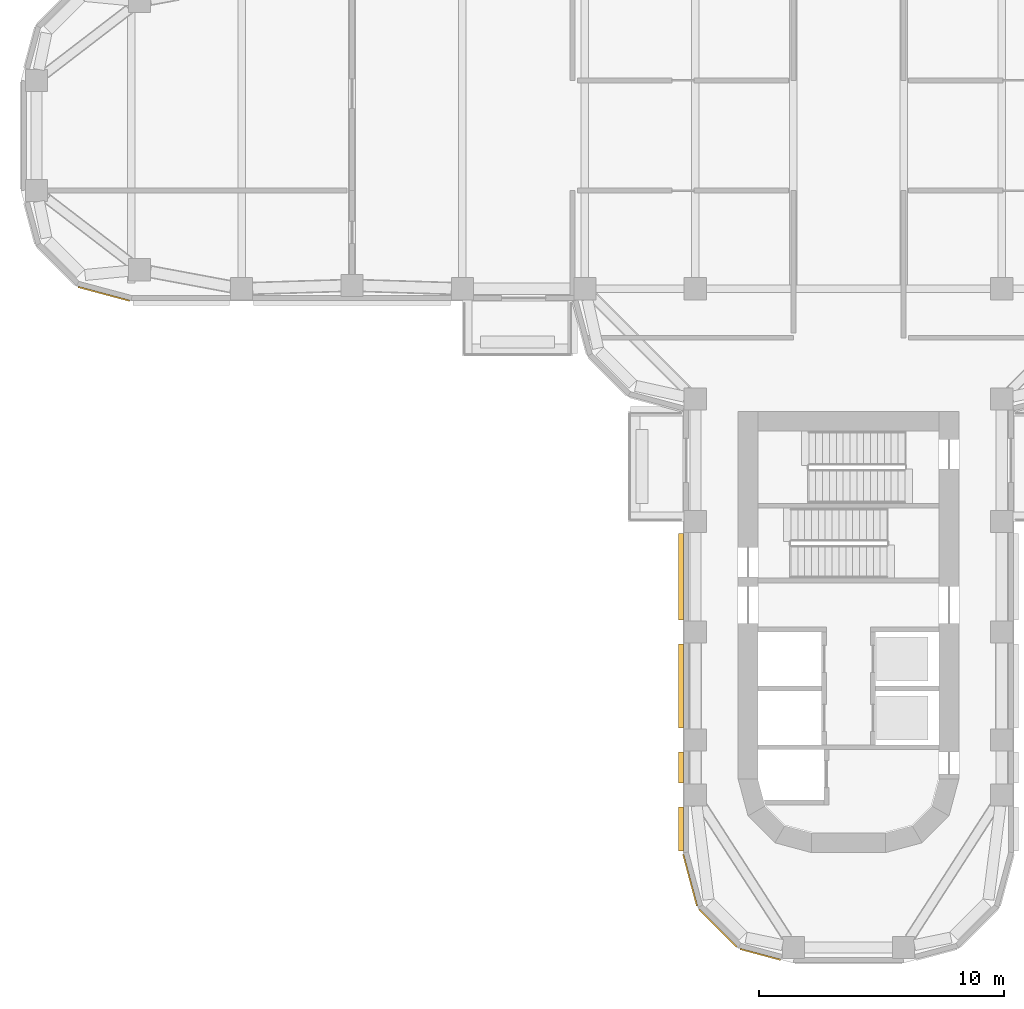
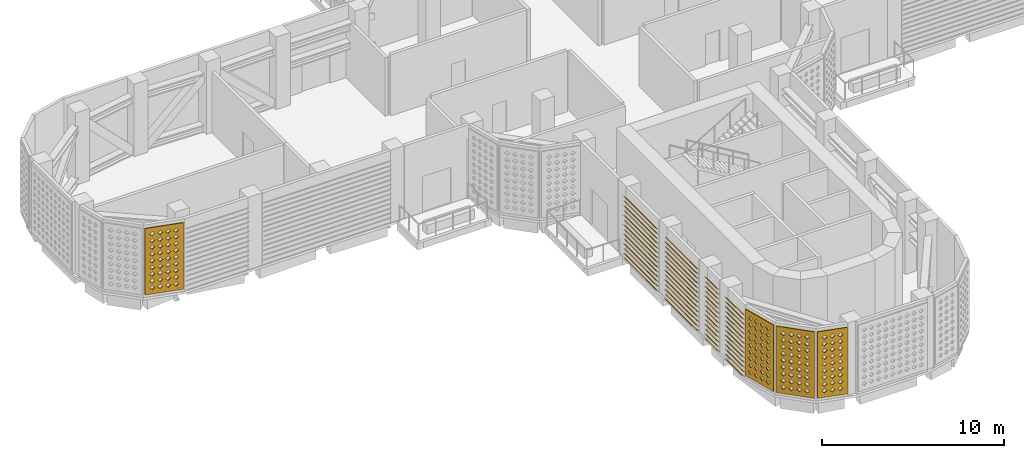
# One storey, part 9 of 20: 4 coverings, 4 shading devices.
"""IFC4 building model written with IfcOpenShell, lengths in metres."""

from ifc_helpers import new_model, si_unit, direction, frame, origin, place, context, subcontext, project, spatial, polyline, outline, extrude, source, transform, mapped, material, layer, layer_set, type_object, element, save


model = new_model("IFC4")

# Units and contexts
model_context = context("Model", 3, precision=1e-05, world=origin(), true_north=direction((0.0, 1.0)))
body_context = subcontext(model_context, "Body", "Model", "MODEL_VIEW")
ifc_project = project(units=[si_unit("LENGTHUNIT", "METRE"), si_unit("AREAUNIT", "SQUARE_METRE"), si_unit("VOLUMEUNIT", "CUBIC_METRE"), si_unit("PLANEANGLEUNIT", "RADIAN"), si_unit("MASSUNIT", "GRAM", prefix="KILO")], contexts=[model_context])

# Site, building, storey
site_placement = place(None, origin())
site = spatial("IfcSite", under=ifc_project, at=site_placement, CompositionType="ELEMENT")
building_placement = place(site_placement, origin())
building = spatial("IfcBuilding", under=site, at=building_placement, Name="Zarbagh Exchange Tower", CompositionType="ELEMENT")
storey_placement = place(building_placement, frame((0.0, 0.0, 136.0)))
storey = spatial("IfcBuildingStorey", under=building, at=storey_placement, Name="L32", CompositionType="ELEMENT", Elevation=136.0)

# Coverings
ifc_material_1 = material(Name="Glass-fibre reinforced concrete GFRC C50/60", Category="concrete")
ifc_layer = layer(ifc_material_1, 0.06005859375)
ifc_layer_set = layer_set([ifc_layer], Name="SCREEN jali panel, GFRC")
covering_type = type_object("IfcCoveringType", Name="SCREEN jali panel, GFRC", PredefinedType="CLADDING", material=ifc_layer_set)
shared_shape_1 = source(origin(), body_context, "Body", "SweptSolid", [
    extrude(outline(polyline([(0.0, 0.0), (2.1650390625, 0.0), (2.1650390625, 4.449951171875), (0.0, 4.449951171875), (0.0, 0.0)]), holes=[polyline([(0.257568359375, 0.425048828125), (0.407470703125, 0.27490234375), (0.5576171875, 0.425048828125), (0.407470703125, 0.574951171875), (0.257568359375, 0.425048828125)]), polyline([(0.257568359375, 0.875), (0.407470703125, 0.72509765625), (0.5576171875, 0.875), (0.407470703125, 1.02490234375), (0.257568359375, 0.875)]), polyline([(0.257568359375, 1.324951171875), (0.407470703125, 1.175048828125), (0.5576171875, 1.324951171875), (0.407470703125, 1.47509765625), (0.257568359375, 1.324951171875)]), polyline([(0.257568359375, 1.77490234375), (0.407470703125, 1.625), (0.5576171875, 1.77490234375), (0.407470703125, 1.925048828125), (0.257568359375, 1.77490234375)]), polyline([(0.257568359375, 2.22509765625), (0.407470703125, 2.074951171875), (0.5576171875, 2.22509765625), (0.407470703125, 2.375), (0.257568359375, 2.22509765625)]), polyline([(0.257568359375, 2.675048828125), (0.407470703125, 2.52490234375), (0.5576171875, 2.675048828125), (0.407470703125, 2.824951171875), (0.257568359375, 2.675048828125)]), polyline([(0.257568359375, 3.125), (0.407470703125, 2.97509765625), (0.5576171875, 3.125), (0.407470703125, 3.27490234375), (0.257568359375, 3.125)]), polyline([(0.257568359375, 3.574951171875), (0.407470703125, 3.425048828125), (0.5576171875, 3.574951171875), (0.407470703125, 3.72509765625), (0.257568359375, 3.574951171875)]), polyline([(0.257568359375, 4.02490234375), (0.407470703125, 3.875), (0.5576171875, 4.02490234375), (0.407470703125, 4.175048828125), (0.257568359375, 4.02490234375)]), polyline([(0.70751953125, 0.425048828125), (0.857421875, 0.27490234375), (1.007568359375, 0.425048828125), (0.857421875, 0.574951171875), (0.70751953125, 0.425048828125)]), polyline([(0.70751953125, 0.875), (0.857421875, 0.72509765625), (1.007568359375, 0.875), (0.857421875, 1.02490234375), (0.70751953125, 0.875)]), polyline([(0.70751953125, 1.324951171875), (0.857421875, 1.175048828125), (1.007568359375, 1.324951171875), (0.857421875, 1.47509765625), (0.70751953125, 1.324951171875)]), polyline([(0.70751953125, 1.77490234375), (0.857421875, 1.625), (1.007568359375, 1.77490234375), (0.857421875, 1.925048828125), (0.70751953125, 1.77490234375)]), polyline([(0.70751953125, 2.22509765625), (0.857421875, 2.074951171875), (1.007568359375, 2.22509765625), (0.857421875, 2.375), (0.70751953125, 2.22509765625)]), polyline([(0.70751953125, 2.675048828125), (0.857421875, 2.52490234375), (1.007568359375, 2.675048828125), (0.857421875, 2.824951171875), (0.70751953125, 2.675048828125)]), polyline([(0.70751953125, 3.125), (0.857421875, 2.97509765625), (1.007568359375, 3.125), (0.857421875, 3.27490234375), (0.70751953125, 3.125)]), polyline([(0.70751953125, 3.574951171875), (0.857421875, 3.425048828125), (1.007568359375, 3.574951171875), (0.857421875, 3.72509765625), (0.70751953125, 3.574951171875)]), polyline([(0.70751953125, 4.02490234375), (0.857421875, 3.875), (1.007568359375, 4.02490234375), (0.857421875, 4.175048828125), (0.70751953125, 4.02490234375)]), polyline([(1.157470703125, 0.425048828125), (1.3076171875, 0.27490234375), (1.45751953125, 0.425048828125), (1.3076171875, 0.574951171875), (1.157470703125, 0.425048828125)]), polyline([(1.157470703125, 0.875), (1.3076171875, 0.72509765625), (1.45751953125, 0.875), (1.3076171875, 1.02490234375), (1.157470703125, 0.875)]), polyline([(1.157470703125, 1.324951171875), (1.3076171875, 1.175048828125), (1.45751953125, 1.324951171875), (1.3076171875, 1.47509765625), (1.157470703125, 1.324951171875)]), polyline([(1.157470703125, 1.77490234375), (1.3076171875, 1.625), (1.45751953125, 1.77490234375), (1.3076171875, 1.925048828125), (1.157470703125, 1.77490234375)]), polyline([(1.157470703125, 2.22509765625), (1.3076171875, 2.074951171875), (1.45751953125, 2.22509765625), (1.3076171875, 2.375), (1.157470703125, 2.22509765625)]), polyline([(1.157470703125, 2.675048828125), (1.3076171875, 2.52490234375), (1.45751953125, 2.675048828125), (1.3076171875, 2.824951171875), (1.157470703125, 2.675048828125)]), polyline([(1.157470703125, 3.125), (1.3076171875, 2.97509765625), (1.45751953125, 3.125), (1.3076171875, 3.27490234375), (1.157470703125, 3.125)]), polyline([(1.157470703125, 3.574951171875), (1.3076171875, 3.425048828125), (1.45751953125, 3.574951171875), (1.3076171875, 3.72509765625), (1.157470703125, 3.574951171875)]), polyline([(1.157470703125, 4.02490234375), (1.3076171875, 3.875), (1.45751953125, 4.02490234375), (1.3076171875, 4.175048828125), (1.157470703125, 4.02490234375)]), polyline([(1.607421875, 0.425048828125), (1.757568359375, 0.27490234375), (1.907470703125, 0.425048828125), (1.757568359375, 0.574951171875), (1.607421875, 0.425048828125)]), polyline([(1.607421875, 0.875), (1.757568359375, 0.72509765625), (1.907470703125, 0.875), (1.757568359375, 1.02490234375), (1.607421875, 0.875)]), polyline([(1.607421875, 1.324951171875), (1.757568359375, 1.175048828125), (1.907470703125, 1.324951171875), (1.757568359375, 1.47509765625), (1.607421875, 1.324951171875)]), polyline([(1.607421875, 1.77490234375), (1.757568359375, 1.625), (1.907470703125, 1.77490234375), (1.757568359375, 1.925048828125), (1.607421875, 1.77490234375)]), polyline([(1.607421875, 2.22509765625), (1.757568359375, 2.074951171875), (1.907470703125, 2.22509765625), (1.757568359375, 2.375), (1.607421875, 2.22509765625)]), polyline([(1.607421875, 2.675048828125), (1.757568359375, 2.52490234375), (1.907470703125, 2.675048828125), (1.757568359375, 2.824951171875), (1.607421875, 2.675048828125)]), polyline([(1.607421875, 3.125), (1.757568359375, 2.97509765625), (1.907470703125, 3.125), (1.757568359375, 3.27490234375), (1.607421875, 3.125)]), polyline([(1.607421875, 3.574951171875), (1.757568359375, 3.425048828125), (1.907470703125, 3.574951171875), (1.757568359375, 3.72509765625), (1.607421875, 3.574951171875)]), polyline([(1.607421875, 4.02490234375), (1.757568359375, 3.875), (1.907470703125, 4.02490234375), (1.757568359375, 4.175048828125), (1.607421875, 4.02490234375)])]), origin(), (0.0, 0.0, 1.0), 0.06005859375),
])
placement = place(storey_placement, origin())
element("IfcCovering", 1, at=placement, inside=storey, type_object=covering_type, Name="JS38 jali screen", PredefinedType="CLADDING", context=body_context, shape_type="MappedRepresentation", body=[
    mapped(shared_shape_1, transform((-6.074951171875, -31.5439453125, 0.199951171875), x_axis=(0.707106781187, -0.707106781187, 0.0), y_axis=(0.0, 0.0, 1.0), z_axis=(-0.707106781187, -0.707106781187, 0.0))),
])
shared_shape_2 = source(origin(), body_context, "Body", "SweptSolid", [
    extrude(outline(polyline([(0.0, 0.0), (2.181396484375, 0.0), (2.181396484375, 4.449951171875), (0.0, 4.449951171875), (0.0, 0.0)]), holes=[polyline([(0.265625, 0.425048828125), (0.415771484375, 0.27490234375), (0.565673828125, 0.425048828125), (0.415771484375, 0.574951171875), (0.265625, 0.425048828125)]), polyline([(0.265625, 0.875), (0.415771484375, 0.72509765625), (0.565673828125, 0.875), (0.415771484375, 1.02490234375), (0.265625, 0.875)]), polyline([(0.265625, 1.324951171875), (0.415771484375, 1.175048828125), (0.565673828125, 1.324951171875), (0.415771484375, 1.47509765625), (0.265625, 1.324951171875)]), polyline([(0.265625, 1.77490234375), (0.415771484375, 1.625), (0.565673828125, 1.77490234375), (0.415771484375, 1.925048828125), (0.265625, 1.77490234375)]), polyline([(0.265625, 2.22509765625), (0.415771484375, 2.074951171875), (0.565673828125, 2.22509765625), (0.415771484375, 2.375), (0.265625, 2.22509765625)]), polyline([(0.265625, 2.675048828125), (0.415771484375, 2.52490234375), (0.565673828125, 2.675048828125), (0.415771484375, 2.824951171875), (0.265625, 2.675048828125)]), polyline([(0.265625, 3.125), (0.415771484375, 2.97509765625), (0.565673828125, 3.125), (0.415771484375, 3.27490234375), (0.265625, 3.125)]), polyline([(0.265625, 3.574951171875), (0.415771484375, 3.425048828125), (0.565673828125, 3.574951171875), (0.415771484375, 3.72509765625), (0.265625, 3.574951171875)]), polyline([(0.265625, 4.02490234375), (0.415771484375, 3.875), (0.565673828125, 4.02490234375), (0.415771484375, 4.175048828125), (0.265625, 4.02490234375)]), polyline([(0.7158203125, 0.425048828125), (0.86572265625, 0.27490234375), (1.015625, 0.425048828125), (0.86572265625, 0.574951171875), (0.7158203125, 0.425048828125)]), polyline([(0.7158203125, 0.875), (0.86572265625, 0.72509765625), (1.015625, 0.875), (0.86572265625, 1.02490234375), (0.7158203125, 0.875)]), polyline([(0.7158203125, 1.324951171875), (0.86572265625, 1.175048828125), (1.015625, 1.324951171875), (0.86572265625, 1.47509765625), (0.7158203125, 1.324951171875)]), polyline([(0.7158203125, 1.77490234375), (0.86572265625, 1.625), (1.015625, 1.77490234375), (0.86572265625, 1.925048828125), (0.7158203125, 1.77490234375)]), polyline([(0.7158203125, 2.22509765625), (0.86572265625, 2.074951171875), (1.015625, 2.22509765625), (0.86572265625, 2.375), (0.7158203125, 2.22509765625)]), polyline([(0.7158203125, 2.675048828125), (0.86572265625, 2.52490234375), (1.015625, 2.675048828125), (0.86572265625, 2.824951171875), (0.7158203125, 2.675048828125)]), polyline([(0.7158203125, 3.125), (0.86572265625, 2.97509765625), (1.015625, 3.125), (0.86572265625, 3.27490234375), (0.7158203125, 3.125)]), polyline([(0.7158203125, 3.574951171875), (0.86572265625, 3.425048828125), (1.015625, 3.574951171875), (0.86572265625, 3.72509765625), (0.7158203125, 3.574951171875)]), polyline([(0.7158203125, 4.02490234375), (0.86572265625, 3.875), (1.015625, 4.02490234375), (0.86572265625, 4.175048828125), (0.7158203125, 4.02490234375)]), polyline([(1.165771484375, 0.425048828125), (1.315673828125, 0.27490234375), (1.4658203125, 0.425048828125), (1.315673828125, 0.574951171875), (1.165771484375, 0.425048828125)]), polyline([(1.165771484375, 0.875), (1.315673828125, 0.72509765625), (1.4658203125, 0.875), (1.315673828125, 1.02490234375), (1.165771484375, 0.875)]), polyline([(1.165771484375, 1.324951171875), (1.315673828125, 1.175048828125), (1.4658203125, 1.324951171875), (1.315673828125, 1.47509765625), (1.165771484375, 1.324951171875)]), polyline([(1.165771484375, 1.77490234375), (1.315673828125, 1.625), (1.4658203125, 1.77490234375), (1.315673828125, 1.925048828125), (1.165771484375, 1.77490234375)]), polyline([(1.165771484375, 2.22509765625), (1.315673828125, 2.074951171875), (1.4658203125, 2.22509765625), (1.315673828125, 2.375), (1.165771484375, 2.22509765625)]), polyline([(1.165771484375, 2.675048828125), (1.315673828125, 2.52490234375), (1.4658203125, 2.675048828125), (1.315673828125, 2.824951171875), (1.165771484375, 2.675048828125)]), polyline([(1.165771484375, 3.125), (1.315673828125, 2.97509765625), (1.4658203125, 3.125), (1.315673828125, 3.27490234375), (1.165771484375, 3.125)]), polyline([(1.165771484375, 3.574951171875), (1.315673828125, 3.425048828125), (1.4658203125, 3.574951171875), (1.315673828125, 3.72509765625), (1.165771484375, 3.574951171875)]), polyline([(1.165771484375, 4.02490234375), (1.315673828125, 3.875), (1.4658203125, 4.02490234375), (1.315673828125, 4.175048828125), (1.165771484375, 4.02490234375)]), polyline([(1.61572265625, 0.425048828125), (1.765625, 0.27490234375), (1.915771484375, 0.425048828125), (1.765625, 0.574951171875), (1.61572265625, 0.425048828125)]), polyline([(1.61572265625, 0.875), (1.765625, 0.72509765625), (1.915771484375, 0.875), (1.765625, 1.02490234375), (1.61572265625, 0.875)]), polyline([(1.61572265625, 1.324951171875), (1.765625, 1.175048828125), (1.915771484375, 1.324951171875), (1.765625, 1.47509765625), (1.61572265625, 1.324951171875)]), polyline([(1.61572265625, 1.77490234375), (1.765625, 1.625), (1.915771484375, 1.77490234375), (1.765625, 1.925048828125), (1.61572265625, 1.77490234375)]), polyline([(1.61572265625, 2.22509765625), (1.765625, 2.074951171875), (1.915771484375, 2.22509765625), (1.765625, 2.375), (1.61572265625, 2.22509765625)]), polyline([(1.61572265625, 2.675048828125), (1.765625, 2.52490234375), (1.915771484375, 2.675048828125), (1.765625, 2.824951171875), (1.61572265625, 2.675048828125)]), polyline([(1.61572265625, 3.125), (1.765625, 2.97509765625), (1.915771484375, 3.125), (1.765625, 3.27490234375), (1.61572265625, 3.125)]), polyline([(1.61572265625, 3.574951171875), (1.765625, 3.425048828125), (1.915771484375, 3.574951171875), (1.765625, 3.72509765625), (1.61572265625, 3.574951171875)]), polyline([(1.61572265625, 4.02490234375), (1.765625, 3.875), (1.915771484375, 4.02490234375), (1.765625, 4.175048828125), (1.61572265625, 4.02490234375)])]), origin(), (0.0, 0.0, 1.0), 0.06005859375),
])
element("IfcCovering", 2, at=placement, inside=storey, type_object=covering_type, Name="JS33 jali screen", PredefinedType="CLADDING", context=body_context, shape_type="MappedRepresentation", body=[
    mapped(shared_shape_2, transform((-31.41552734375, -6.14892578125, 0.199951171875), x_axis=(0.965924215207, -0.258825057666, 0.0), y_axis=(0.0, 0.0, 1.0), z_axis=(-0.258825057666, -0.965924215207, 0.0))),
])
element("IfcCovering", 3, at=placement, inside=storey, type_object=covering_type, Name="JS37 jali screen", PredefinedType="CLADDING", context=body_context, shape_type="MappedRepresentation", body=[
    mapped(shared_shape_2, transform((-6.713623046875, -29.308349609375, 0.199951171875), x_axis=(0.258825057666, -0.965924215207, 0.0), y_axis=(0.0, 0.0, 1.0), z_axis=(-0.965924215207, -0.258825057666, 0.0))),
])

# Shading device
ifc_material_2 = material(Name="Anodised aluminium", Category="aluminium")
shading_device_type = type_object("IfcShadingDeviceType", Name="LOUVRE plant louvre, fixed blades", PredefinedType="USERDEFINED", material=ifc_material_2)
shared_shape_3 = source(origin(), body_context, "Body", "SweptSolid", [
    extrude(outline(polyline([(0.0, 0.199951171875), (0.199951171875, 0.0), (0.199951171875, -0.02001953125), (0.0, 0.179931640625), (0.0, 0.199951171875)])), origin(), (0.0, 0.0, 1.0), 3.419921875),
])
element("IfcShadingDevice", 4, at=placement, inside=storey, type_object=shading_device_type, Name="LV08 plant louvre", ObjectType="LOUVRE", PredefinedType="USERDEFINED", context=body_context, shape_type="MappedRepresentation", body=[
    mapped(shared_shape_3, transform((-6.72998046875, -20.739990234375, 0.199951171875), x_axis=(-1.0, 0.0, 0.0), y_axis=(0.0, 0.0, -1.0), z_axis=(0.0, -1.0, 0.0))),
    mapped(shared_shape_3, transform((-6.72998046875, -20.739990234375, 0.517822265625), x_axis=(-1.0, 0.0, 0.0), y_axis=(0.0, 0.0, -1.0), z_axis=(0.0, -1.0, 0.0))),
    mapped(shared_shape_3, transform((-6.72998046875, -20.739990234375, 0.835693359375), x_axis=(-1.0, 0.0, 0.0), y_axis=(0.0, 0.0, -1.0), z_axis=(0.0, -1.0, 0.0))),
    mapped(shared_shape_3, transform((-6.72998046875, -20.739990234375, 1.153564453125), x_axis=(-1.0, 0.0, 0.0), y_axis=(0.0, 0.0, -1.0), z_axis=(0.0, -1.0, 0.0))),
    mapped(shared_shape_3, transform((-6.72998046875, -20.739990234375, 1.471435546875), x_axis=(-1.0, 0.0, 0.0), y_axis=(0.0, 0.0, -1.0), z_axis=(0.0, -1.0, 0.0))),
    mapped(shared_shape_3, transform((-6.72998046875, -20.739990234375, 1.789306640625), x_axis=(-1.0, 0.0, 0.0), y_axis=(0.0, 0.0, -1.0), z_axis=(0.0, -1.0, 0.0))),
    mapped(shared_shape_3, transform((-6.72998046875, -20.739990234375, 2.107177734375), x_axis=(-1.0, 0.0, 0.0), y_axis=(0.0, 0.0, -1.0), z_axis=(0.0, -1.0, 0.0))),
    mapped(shared_shape_3, transform((-6.72998046875, -20.739990234375, 2.425048828125), x_axis=(-1.0, 0.0, 0.0), y_axis=(0.0, 0.0, -1.0), z_axis=(0.0, -1.0, 0.0))),
    mapped(shared_shape_3, transform((-6.72998046875, -20.739990234375, 2.742919921875), x_axis=(-1.0, 0.0, 0.0), y_axis=(0.0, 0.0, -1.0), z_axis=(0.0, -1.0, 0.0))),
    mapped(shared_shape_3, transform((-6.72998046875, -20.739990234375, 3.060791015625), x_axis=(-1.0, 0.0, 0.0), y_axis=(0.0, 0.0, -1.0), z_axis=(0.0, -1.0, 0.0))),
    mapped(shared_shape_3, transform((-6.72998046875, -20.739990234375, 3.378662109375), x_axis=(-1.0, 0.0, 0.0), y_axis=(0.0, 0.0, -1.0), z_axis=(0.0, -1.0, 0.0))),
    mapped(shared_shape_3, transform((-6.72998046875, -20.739990234375, 3.696533203125), x_axis=(-1.0, 0.0, 0.0), y_axis=(0.0, 0.0, -1.0), z_axis=(0.0, -1.0, 0.0))),
    mapped(shared_shape_3, transform((-6.72998046875, -20.739990234375, 4.014404296875), x_axis=(-1.0, 0.0, 0.0), y_axis=(0.0, 0.0, -1.0), z_axis=(0.0, -1.0, 0.0))),
    mapped(shared_shape_3, transform((-6.72998046875, -20.739990234375, 4.33203125), x_axis=(-1.0, 0.0, 0.0), y_axis=(0.0, 0.0, -1.0), z_axis=(0.0, -1.0, 0.0))),
])

# Covering
shared_shape_4 = source(origin(), body_context, "Body", "SweptSolid", [
    extrude(outline(polyline([(0.0, 0.0), (1.707763671875, 0.0), (1.707763671875, 4.449951171875), (0.0, 4.449951171875), (0.0, 0.0)]), holes=[polyline([(0.25390625, 0.425048828125), (0.40380859375, 0.27490234375), (0.553955078125, 0.425048828125), (0.40380859375, 0.574951171875), (0.25390625, 0.425048828125)]), polyline([(0.25390625, 0.875), (0.40380859375, 0.72509765625), (0.553955078125, 0.875), (0.40380859375, 1.02490234375), (0.25390625, 0.875)]), polyline([(0.25390625, 1.324951171875), (0.40380859375, 1.175048828125), (0.553955078125, 1.324951171875), (0.40380859375, 1.47509765625), (0.25390625, 1.324951171875)]), polyline([(0.25390625, 1.77490234375), (0.40380859375, 1.625), (0.553955078125, 1.77490234375), (0.40380859375, 1.925048828125), (0.25390625, 1.77490234375)]), polyline([(0.25390625, 2.22509765625), (0.40380859375, 2.074951171875), (0.553955078125, 2.22509765625), (0.40380859375, 2.375), (0.25390625, 2.22509765625)]), polyline([(0.25390625, 2.675048828125), (0.40380859375, 2.52490234375), (0.553955078125, 2.675048828125), (0.40380859375, 2.824951171875), (0.25390625, 2.675048828125)]), polyline([(0.25390625, 3.125), (0.40380859375, 2.97509765625), (0.553955078125, 3.125), (0.40380859375, 3.27490234375), (0.25390625, 3.125)]), polyline([(0.25390625, 3.574951171875), (0.40380859375, 3.425048828125), (0.553955078125, 3.574951171875), (0.40380859375, 3.72509765625), (0.25390625, 3.574951171875)]), polyline([(0.25390625, 4.02490234375), (0.40380859375, 3.875), (0.553955078125, 4.02490234375), (0.40380859375, 4.175048828125), (0.25390625, 4.02490234375)]), polyline([(0.703857421875, 0.425048828125), (0.85400390625, 0.27490234375), (1.00390625, 0.425048828125), (0.85400390625, 0.574951171875), (0.703857421875, 0.425048828125)]), polyline([(0.703857421875, 0.875), (0.85400390625, 0.72509765625), (1.00390625, 0.875), (0.85400390625, 1.02490234375), (0.703857421875, 0.875)]), polyline([(0.703857421875, 1.324951171875), (0.85400390625, 1.175048828125), (1.00390625, 1.324951171875), (0.85400390625, 1.47509765625), (0.703857421875, 1.324951171875)]), polyline([(0.703857421875, 1.77490234375), (0.85400390625, 1.625), (1.00390625, 1.77490234375), (0.85400390625, 1.925048828125), (0.703857421875, 1.77490234375)]), polyline([(0.703857421875, 2.22509765625), (0.85400390625, 2.074951171875), (1.00390625, 2.22509765625), (0.85400390625, 2.375), (0.703857421875, 2.22509765625)]), polyline([(0.703857421875, 2.675048828125), (0.85400390625, 2.52490234375), (1.00390625, 2.675048828125), (0.85400390625, 2.824951171875), (0.703857421875, 2.675048828125)]), polyline([(0.703857421875, 3.125), (0.85400390625, 2.97509765625), (1.00390625, 3.125), (0.85400390625, 3.27490234375), (0.703857421875, 3.125)]), polyline([(0.703857421875, 3.574951171875), (0.85400390625, 3.425048828125), (1.00390625, 3.574951171875), (0.85400390625, 3.72509765625), (0.703857421875, 3.574951171875)]), polyline([(0.703857421875, 4.02490234375), (0.85400390625, 3.875), (1.00390625, 4.02490234375), (0.85400390625, 4.175048828125), (0.703857421875, 4.02490234375)]), polyline([(1.15380859375, 0.425048828125), (1.303955078125, 0.27490234375), (1.453857421875, 0.425048828125), (1.303955078125, 0.574951171875), (1.15380859375, 0.425048828125)]), polyline([(1.15380859375, 0.875), (1.303955078125, 0.72509765625), (1.453857421875, 0.875), (1.303955078125, 1.02490234375), (1.15380859375, 0.875)]), polyline([(1.15380859375, 1.324951171875), (1.303955078125, 1.175048828125), (1.453857421875, 1.324951171875), (1.303955078125, 1.47509765625), (1.15380859375, 1.324951171875)]), polyline([(1.15380859375, 1.77490234375), (1.303955078125, 1.625), (1.453857421875, 1.77490234375), (1.303955078125, 1.925048828125), (1.15380859375, 1.77490234375)]), polyline([(1.15380859375, 2.22509765625), (1.303955078125, 2.074951171875), (1.453857421875, 2.22509765625), (1.303955078125, 2.375), (1.15380859375, 2.22509765625)]), polyline([(1.15380859375, 2.675048828125), (1.303955078125, 2.52490234375), (1.453857421875, 2.675048828125), (1.303955078125, 2.824951171875), (1.15380859375, 2.675048828125)]), polyline([(1.15380859375, 3.125), (1.303955078125, 2.97509765625), (1.453857421875, 3.125), (1.303955078125, 3.27490234375), (1.15380859375, 3.125)]), polyline([(1.15380859375, 3.574951171875), (1.303955078125, 3.425048828125), (1.453857421875, 3.574951171875), (1.303955078125, 3.72509765625), (1.15380859375, 3.574951171875)]), polyline([(1.15380859375, 4.02490234375), (1.303955078125, 3.875), (1.453857421875, 4.02490234375), (1.303955078125, 4.175048828125), (1.15380859375, 4.02490234375)])]), origin(), (0.0, 0.0, 1.0), 0.06005859375),
])
element("IfcCovering", 5, at=placement, inside=storey, type_object=covering_type, Name="JS39 jali screen", PredefinedType="CLADDING", context=body_context, shape_type="MappedRepresentation", body=[
    mapped(shared_shape_4, transform((-4.41552734375, -33.14892578125, 0.199951171875), x_axis=(0.965924215207, -0.258825057666, 0.0), y_axis=(0.0, 0.0, 1.0), z_axis=(-0.258825057666, -0.965924215207, 0.0))),
])

# Shading devices
shared_shape_5 = source(origin(), body_context, "Body", "SweptSolid", [
    extrude(outline(polyline([(0.0, 0.199951171875), (0.199951171875, 0.0), (0.199951171875, -0.02001953125), (0.0, 0.179931640625), (0.0, 0.199951171875)])), origin(), (0.0, 0.0, 1.0), 1.794189453125),
])
element("IfcShadingDevice", 6, at=placement, inside=storey, type_object=shading_device_type, Name="LV08 plant louvre", ObjectType="LOUVRE", PredefinedType="USERDEFINED", context=body_context, shape_type="MappedRepresentation", body=[
    mapped(shared_shape_5, transform((-6.72998046875, -27.39013671875, 0.199951171875), x_axis=(-1.0, 0.0, 0.0), y_axis=(0.0, 0.0, -1.0), z_axis=(0.0, -1.0, 0.0))),
    mapped(shared_shape_5, transform((-6.72998046875, -27.39013671875, 0.517822265625), x_axis=(-1.0, 0.0, 0.0), y_axis=(0.0, 0.0, -1.0), z_axis=(0.0, -1.0, 0.0))),
    mapped(shared_shape_5, transform((-6.72998046875, -27.39013671875, 0.835693359375), x_axis=(-1.0, 0.0, 0.0), y_axis=(0.0, 0.0, -1.0), z_axis=(0.0, -1.0, 0.0))),
    mapped(shared_shape_5, transform((-6.72998046875, -27.39013671875, 1.153564453125), x_axis=(-1.0, 0.0, 0.0), y_axis=(0.0, 0.0, -1.0), z_axis=(0.0, -1.0, 0.0))),
    mapped(shared_shape_5, transform((-6.72998046875, -27.39013671875, 1.471435546875), x_axis=(-1.0, 0.0, 0.0), y_axis=(0.0, 0.0, -1.0), z_axis=(0.0, -1.0, 0.0))),
    mapped(shared_shape_5, transform((-6.72998046875, -27.39013671875, 1.789306640625), x_axis=(-1.0, 0.0, 0.0), y_axis=(0.0, 0.0, -1.0), z_axis=(0.0, -1.0, 0.0))),
    mapped(shared_shape_5, transform((-6.72998046875, -27.39013671875, 2.107177734375), x_axis=(-1.0, 0.0, 0.0), y_axis=(0.0, 0.0, -1.0), z_axis=(0.0, -1.0, 0.0))),
    mapped(shared_shape_5, transform((-6.72998046875, -27.39013671875, 2.425048828125), x_axis=(-1.0, 0.0, 0.0), y_axis=(0.0, 0.0, -1.0), z_axis=(0.0, -1.0, 0.0))),
    mapped(shared_shape_5, transform((-6.72998046875, -27.39013671875, 2.742919921875), x_axis=(-1.0, 0.0, 0.0), y_axis=(0.0, 0.0, -1.0), z_axis=(0.0, -1.0, 0.0))),
    mapped(shared_shape_5, transform((-6.72998046875, -27.39013671875, 3.060791015625), x_axis=(-1.0, 0.0, 0.0), y_axis=(0.0, 0.0, -1.0), z_axis=(0.0, -1.0, 0.0))),
    mapped(shared_shape_5, transform((-6.72998046875, -27.39013671875, 3.378662109375), x_axis=(-1.0, 0.0, 0.0), y_axis=(0.0, 0.0, -1.0), z_axis=(0.0, -1.0, 0.0))),
    mapped(shared_shape_5, transform((-6.72998046875, -27.39013671875, 3.696533203125), x_axis=(-1.0, 0.0, 0.0), y_axis=(0.0, 0.0, -1.0), z_axis=(0.0, -1.0, 0.0))),
    mapped(shared_shape_5, transform((-6.72998046875, -27.39013671875, 4.014404296875), x_axis=(-1.0, 0.0, 0.0), y_axis=(0.0, 0.0, -1.0), z_axis=(0.0, -1.0, 0.0))),
    mapped(shared_shape_5, transform((-6.72998046875, -27.39013671875, 4.33203125), x_axis=(-1.0, 0.0, 0.0), y_axis=(0.0, 0.0, -1.0), z_axis=(0.0, -1.0, 0.0))),
])
shared_shape_6 = source(origin(), body_context, "Body", "SweptSolid", [
    extrude(outline(polyline([(0.0, 0.199951171875), (0.199951171875, 0.0), (0.199951171875, -0.02001953125), (0.0, 0.179931640625), (0.0, 0.199951171875)])), origin(), (0.0, 0.0, 1.0), 1.27001953125),
])
element("IfcShadingDevice", 7, at=placement, inside=storey, type_object=shading_device_type, Name="LV08 plant louvre", ObjectType="LOUVRE", PredefinedType="USERDEFINED", context=body_context, shape_type="MappedRepresentation", body=[
    mapped(shared_shape_6, transform((-6.72998046875, -25.14013671875, 0.199951171875), x_axis=(-1.0, 0.0, 0.0), y_axis=(0.0, 0.0, -1.0), z_axis=(0.0, -1.0, 0.0))),
    mapped(shared_shape_6, transform((-6.72998046875, -25.14013671875, 0.517822265625), x_axis=(-1.0, 0.0, 0.0), y_axis=(0.0, 0.0, -1.0), z_axis=(0.0, -1.0, 0.0))),
    mapped(shared_shape_6, transform((-6.72998046875, -25.14013671875, 0.835693359375), x_axis=(-1.0, 0.0, 0.0), y_axis=(0.0, 0.0, -1.0), z_axis=(0.0, -1.0, 0.0))),
    mapped(shared_shape_6, transform((-6.72998046875, -25.14013671875, 1.153564453125), x_axis=(-1.0, 0.0, 0.0), y_axis=(0.0, 0.0, -1.0), z_axis=(0.0, -1.0, 0.0))),
    mapped(shared_shape_6, transform((-6.72998046875, -25.14013671875, 1.471435546875), x_axis=(-1.0, 0.0, 0.0), y_axis=(0.0, 0.0, -1.0), z_axis=(0.0, -1.0, 0.0))),
    mapped(shared_shape_6, transform((-6.72998046875, -25.14013671875, 1.789306640625), x_axis=(-1.0, 0.0, 0.0), y_axis=(0.0, 0.0, -1.0), z_axis=(0.0, -1.0, 0.0))),
    mapped(shared_shape_6, transform((-6.72998046875, -25.14013671875, 2.107177734375), x_axis=(-1.0, 0.0, 0.0), y_axis=(0.0, 0.0, -1.0), z_axis=(0.0, -1.0, 0.0))),
    mapped(shared_shape_6, transform((-6.72998046875, -25.14013671875, 2.425048828125), x_axis=(-1.0, 0.0, 0.0), y_axis=(0.0, 0.0, -1.0), z_axis=(0.0, -1.0, 0.0))),
    mapped(shared_shape_6, transform((-6.72998046875, -25.14013671875, 2.742919921875), x_axis=(-1.0, 0.0, 0.0), y_axis=(0.0, 0.0, -1.0), z_axis=(0.0, -1.0, 0.0))),
    mapped(shared_shape_6, transform((-6.72998046875, -25.14013671875, 3.060791015625), x_axis=(-1.0, 0.0, 0.0), y_axis=(0.0, 0.0, -1.0), z_axis=(0.0, -1.0, 0.0))),
    mapped(shared_shape_6, transform((-6.72998046875, -25.14013671875, 3.378662109375), x_axis=(-1.0, 0.0, 0.0), y_axis=(0.0, 0.0, -1.0), z_axis=(0.0, -1.0, 0.0))),
    mapped(shared_shape_6, transform((-6.72998046875, -25.14013671875, 3.696533203125), x_axis=(-1.0, 0.0, 0.0), y_axis=(0.0, 0.0, -1.0), z_axis=(0.0, -1.0, 0.0))),
    mapped(shared_shape_6, transform((-6.72998046875, -25.14013671875, 4.014404296875), x_axis=(-1.0, 0.0, 0.0), y_axis=(0.0, 0.0, -1.0), z_axis=(0.0, -1.0, 0.0))),
    mapped(shared_shape_6, transform((-6.72998046875, -25.14013671875, 4.33203125), x_axis=(-1.0, 0.0, 0.0), y_axis=(0.0, 0.0, -1.0), z_axis=(0.0, -1.0, 0.0))),
])
shared_shape_7 = source(origin(), body_context, "Body", "SweptSolid", [
    extrude(outline(polyline([(0.0, 0.199951171875), (0.199951171875, 0.0), (0.199951171875, -0.02001953125), (0.0, 0.179931640625), (0.0, 0.199951171875)])), origin(), (0.0, 0.0, 1.0), 3.52001953125),
])
element("IfcShadingDevice", 8, at=placement, inside=storey, type_object=shading_device_type, Name="LV08 plant louvre", ObjectType="LOUVRE", PredefinedType="USERDEFINED", context=body_context, shape_type="MappedRepresentation", body=[
    mapped(shared_shape_7, transform((-6.72998046875, -16.239990234375, 0.199951171875), x_axis=(-1.0, 0.0, 0.0), y_axis=(0.0, 0.0, -1.0), z_axis=(0.0, -1.0, 0.0))),
    mapped(shared_shape_7, transform((-6.72998046875, -16.239990234375, 0.517822265625), x_axis=(-1.0, 0.0, 0.0), y_axis=(0.0, 0.0, -1.0), z_axis=(0.0, -1.0, 0.0))),
    mapped(shared_shape_7, transform((-6.72998046875, -16.239990234375, 0.835693359375), x_axis=(-1.0, 0.0, 0.0), y_axis=(0.0, 0.0, -1.0), z_axis=(0.0, -1.0, 0.0))),
    mapped(shared_shape_7, transform((-6.72998046875, -16.239990234375, 1.153564453125), x_axis=(-1.0, 0.0, 0.0), y_axis=(0.0, 0.0, -1.0), z_axis=(0.0, -1.0, 0.0))),
    mapped(shared_shape_7, transform((-6.72998046875, -16.239990234375, 1.471435546875), x_axis=(-1.0, 0.0, 0.0), y_axis=(0.0, 0.0, -1.0), z_axis=(0.0, -1.0, 0.0))),
    mapped(shared_shape_7, transform((-6.72998046875, -16.239990234375, 1.789306640625), x_axis=(-1.0, 0.0, 0.0), y_axis=(0.0, 0.0, -1.0), z_axis=(0.0, -1.0, 0.0))),
    mapped(shared_shape_7, transform((-6.72998046875, -16.239990234375, 2.107177734375), x_axis=(-1.0, 0.0, 0.0), y_axis=(0.0, 0.0, -1.0), z_axis=(0.0, -1.0, 0.0))),
    mapped(shared_shape_7, transform((-6.72998046875, -16.239990234375, 2.425048828125), x_axis=(-1.0, 0.0, 0.0), y_axis=(0.0, 0.0, -1.0), z_axis=(0.0, -1.0, 0.0))),
    mapped(shared_shape_7, transform((-6.72998046875, -16.239990234375, 2.742919921875), x_axis=(-1.0, 0.0, 0.0), y_axis=(0.0, 0.0, -1.0), z_axis=(0.0, -1.0, 0.0))),
    mapped(shared_shape_7, transform((-6.72998046875, -16.239990234375, 3.060791015625), x_axis=(-1.0, 0.0, 0.0), y_axis=(0.0, 0.0, -1.0), z_axis=(0.0, -1.0, 0.0))),
    mapped(shared_shape_7, transform((-6.72998046875, -16.239990234375, 3.378662109375), x_axis=(-1.0, 0.0, 0.0), y_axis=(0.0, 0.0, -1.0), z_axis=(0.0, -1.0, 0.0))),
    mapped(shared_shape_7, transform((-6.72998046875, -16.239990234375, 3.696533203125), x_axis=(-1.0, 0.0, 0.0), y_axis=(0.0, 0.0, -1.0), z_axis=(0.0, -1.0, 0.0))),
    mapped(shared_shape_7, transform((-6.72998046875, -16.239990234375, 4.014404296875), x_axis=(-1.0, 0.0, 0.0), y_axis=(0.0, 0.0, -1.0), z_axis=(0.0, -1.0, 0.0))),
    mapped(shared_shape_7, transform((-6.72998046875, -16.239990234375, 4.33203125), x_axis=(-1.0, 0.0, 0.0), y_axis=(0.0, 0.0, -1.0), z_axis=(0.0, -1.0, 0.0))),
])

save(model, "model.ifc")
